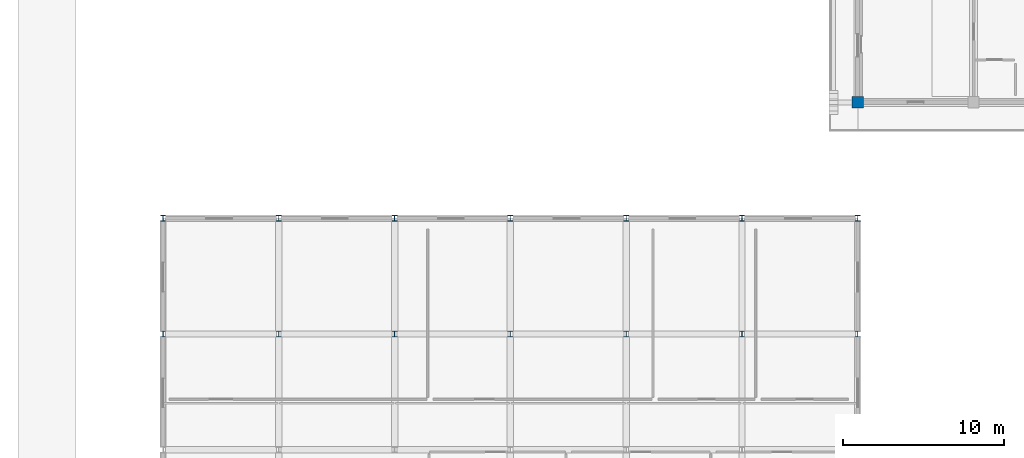
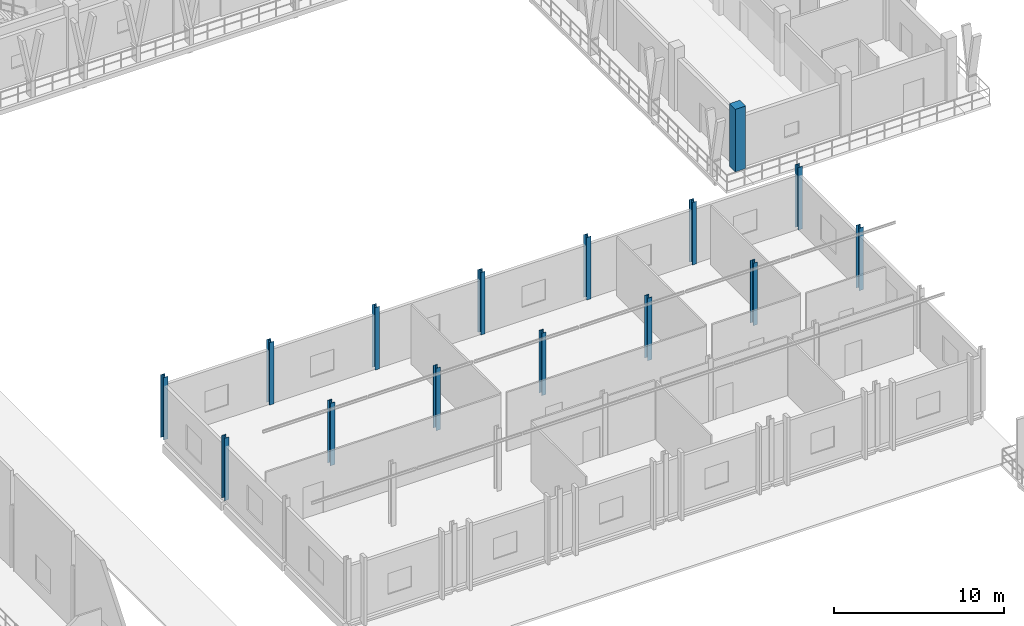
# One storey, part 12 of 110: 15 columns.
"""IFC4 building model written with IfcOpenShell, lengths in metres."""

from ifc_helpers import new_model, si_unit, direction, frame, origin, origin_2d, place, context, subcontext, project, spatial, rectangle, i_section, extrude, material, material_profile, profile_set, type_object, element, save


model = new_model("IFC4")

# Units and contexts
model_context = context("Model", 3, precision=1e-05, world=origin(), true_north=direction((0.0, 1.0)))
body_context = subcontext(model_context, "Body", "Model", "MODEL_VIEW")
ifc_project = project(units=[si_unit("LENGTHUNIT", "METRE"), si_unit("AREAUNIT", "SQUARE_METRE"), si_unit("VOLUMEUNIT", "CUBIC_METRE"), si_unit("PLANEANGLEUNIT", "RADIAN"), si_unit("MASSUNIT", "GRAM", prefix="KILO")], contexts=[model_context])

# Site, building, storey
site_placement = place(None, origin())
site = spatial("IfcSite", under=ifc_project, at=site_placement, CompositionType="ELEMENT")
building_placement = place(site_placement, origin())
building = spatial("IfcBuilding", under=site, at=building_placement, Name="Suanplinth Sawtooth Commons", CompositionType="ELEMENT")
storey_placement = place(building_placement, frame((0.0, 0.0, 4.5)))
storey = spatial("IfcBuildingStorey", under=building, at=storey_placement, Name="L01", CompositionType="ELEMENT", Elevation=4.5)

# Columns
ifc_material_1 = material(Name="Concrete C40/50", Category="concrete")
ifc_material_profile_1 = material_profile(ifc_material_1, rectangle(XDim=0.699951171875, YDim=0.699951171875, at=origin_2d()), Name="RC-COL 700x700")
ifc_profile_set_1 = profile_set([ifc_material_profile_1], Name="Concrete C40/50")
column_type_1 = type_object("IfcColumnType", Name="C-02", PredefinedType="COLUMN", material=ifc_profile_set_1)
column_placement = place(storey_placement, frame((172.800048828125, 79.199951171875, 0.0), z_axis=(0.0, 0.0, 1.0), x_axis=(1.0, 0.0, 0.0)))
element("IfcColumn", 1, at=column_placement, inside=storey, type_object=column_type_1, Name="Column L01 25/M", PredefinedType="COLUMN", context=body_context, shape_type="SweptSolid", body=[
    extrude(rectangle(XDim=0.699951171875, YDim=0.699951171875, at=origin_2d()), origin(), (0.0, 0.0, 1.0), 4.5),
])
ifc_material_2 = material(Name="Steel S355JR", Category="steel")
ifc_material_profile_2 = material_profile(ifc_material_2, i_section(OverallWidth=0.300048828125, OverallDepth=0.360107421875, WebThickness=0.012451171875, FlangeThickness=0.0224609375, at=origin_2d()), Name="HEB 360")
ifc_profile_set_2 = profile_set([ifc_material_profile_2], Name="Steel S355JR")
column_type_2 = type_object("IfcColumnType", Name="C-10", PredefinedType="COLUMN", material=ifc_profile_set_2)
for number, where, z_axis, x_axis, name in (
    (2, (129.60009765625, 64.800048828125, 0.0), (0.0, 0.0, 1.0), (1.0, 0.0, 0.0), "Column L01 19/K"),
    (3, (129.60009765625, 72.0, 0.0), (0.0, 0.0, 1.0), (1.0, 0.0, 0.0), "Column L01 19/L"),
    (4, (136.800048828125, 64.800048828125, 0.0), (0.0, 0.0, 1.0), (1.0, 0.0, 0.0), "Column L01 20/K"),
    (5, (136.800048828125, 72.0, 0.0), (0.0, 0.0, 1.0), (1.0, 0.0, 0.0), "Column L01 20/L"),
    (6, (144.0, 64.800048828125, 0.0), (0.0, 0.0, 1.0), (1.0, 0.0, 0.0), "Column L01 21/K"),
    (7, (144.0, 72.0, 0.0), (0.0, 0.0, 1.0), (1.0, 0.0, 0.0), "Column L01 21/L"),
    (8, (151.199951171875, 64.800048828125, 0.0), (0.0, 0.0, 1.0), (1.0, 0.0, 0.0), "Column L01 22/K"),
    (9, (151.199951171875, 72.0, 0.0), (0.0, 0.0, 1.0), (1.0, 0.0, 0.0), "Column L01 22/L"),
    (10, (158.39990234375, 64.800048828125, 0.0), (0.0, 0.0, 1.0), (1.0, 0.0, 0.0), "Column L01 23/K"),
    (11, (158.39990234375, 72.0, 0.0), (0.0, 0.0, 1.0), (1.0, 0.0, 0.0), "Column L01 23/L"),
    (12, (165.60009765625, 64.800048828125, 0.0), (0.0, 0.0, 1.0), (1.0, 0.0, 0.0), "Column L01 24/K"),
    (13, (165.60009765625, 72.0, 0.0), (0.0, 0.0, 1.0), (1.0, 0.0, 0.0), "Column L01 24/L"),
    (14, (172.800048828125, 64.800048828125, 0.0), (0.0, 0.0, 1.0), (1.0, 0.0, 0.0), "Column L01 25/K"),
    (15, (172.800048828125, 72.0, 0.0), (0.0, 0.0, 1.0), (1.0, 0.0, 0.0), "Column L01 25/L"),
):
    element("IfcColumn", number, at=place(storey_placement, frame(where, z_axis=z_axis, x_axis=x_axis)), inside=storey, type_object=column_type_2, Name=name, PredefinedType="COLUMN", context=body_context, shape_type="SweptSolid", body=[
        extrude(i_section(OverallWidth=0.300048828125, OverallDepth=0.360107421875, WebThickness=0.012451171875, FlangeThickness=0.0224609375, at=origin_2d()), origin(), (0.0, 0.0, 1.0), 4.5),
    ])

save(model, "model.ifc")
